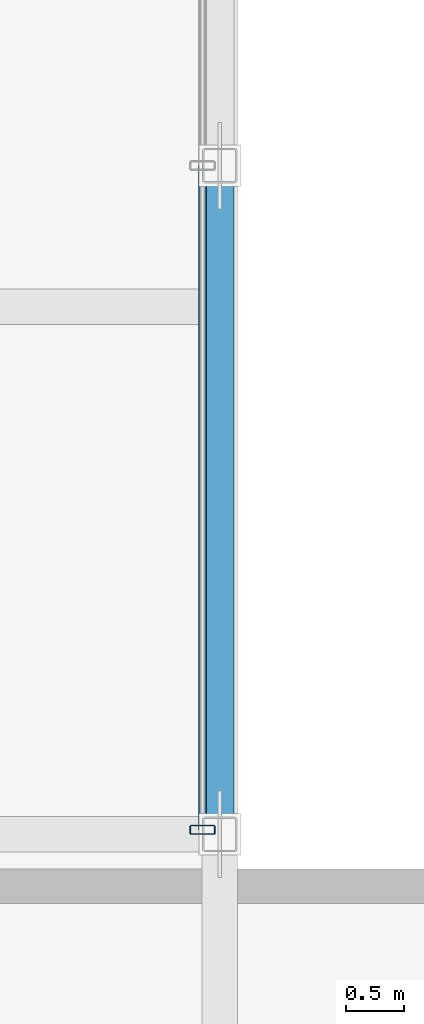
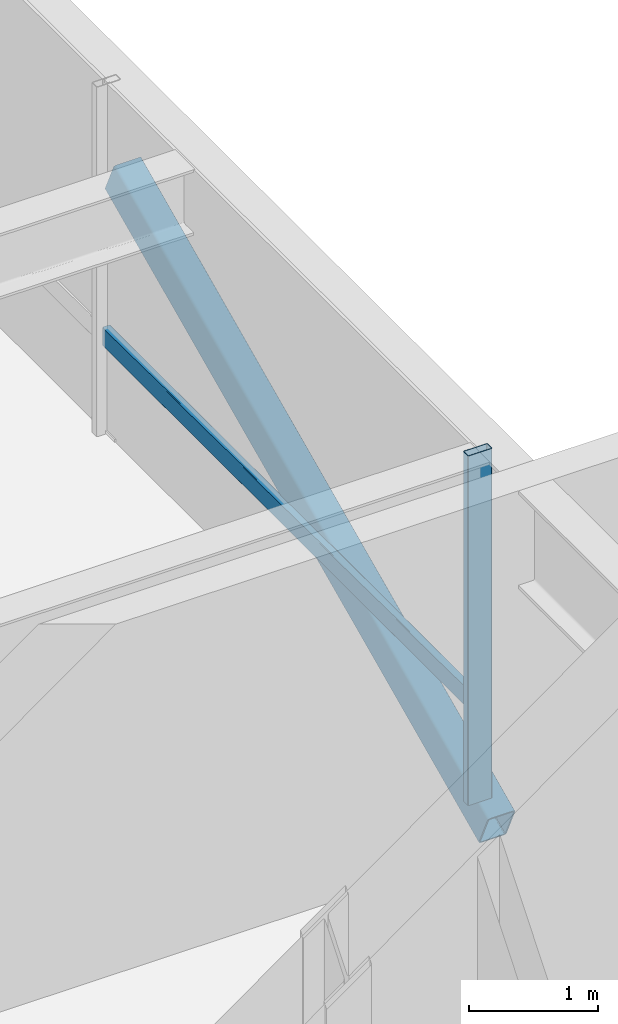
# One storey, part 8 of 36: 3 members, 1 element without a shape of its own.
"""IFC4 building model written with IfcOpenShell, lengths in metres."""

from ifc_helpers import new_model, si_unit, direction, frame, origin, origin_2d, place, context, subcontext, project, spatial, hollow_rectangle, extrude, material, layer, layer_set, material_profile, profile_set, type_object, element, aggregate, save


model = new_model("IFC4")

# Units and contexts
model_context = context("Model", 3, precision=1e-05, world=origin(), true_north=direction((0.0, 1.0)))
body_context = subcontext(model_context, "Body", "Model", "MODEL_VIEW")
ifc_project = project(units=[si_unit("LENGTHUNIT", "METRE"), si_unit("AREAUNIT", "SQUARE_METRE"), si_unit("VOLUMEUNIT", "CUBIC_METRE"), si_unit("PLANEANGLEUNIT", "RADIAN"), si_unit("MASSUNIT", "GRAM", prefix="KILO")], contexts=[model_context])

# Site, building, storey
site_placement = place(None, origin())
site = spatial("IfcSite", under=ifc_project, at=site_placement, CompositionType="ELEMENT")
building_placement = place(site_placement, origin())
building = spatial("IfcBuilding", under=site, at=building_placement, Name="Korimba Cascade Residences", CompositionType="ELEMENT")
storey_placement = place(building_placement, frame((0.0, 0.0, 142.89990234375)))
storey = spatial("IfcBuildingStorey", under=building, at=storey_placement, Name="L41", CompositionType="ELEMENT", Elevation=142.89990234375)

# Curtain wall, members
ifc_material_1 = material(Name="Anodised Aluminium Curtain Wall Framing", Category="aluminium")
ifc_layer = layer(ifc_material_1, 0.179931640625)
ifc_layer_set = layer_set([ifc_layer], Name="Anodised Aluminium Curtain Wall Framing")
curtain_wall_type = type_object("IfcCurtainWallType", Name="CW-BRG-SYS3", PredefinedType="NOTDEFINED", material=ifc_layer_set)
curtain_wall_placement = place(storey_placement, origin())
curtain_wall = element("IfcCurtainWall", 1, at=curtain_wall_placement, inside=storey, type_object=curtain_wall_type, Name="L41 Curtain Wall CW-L41-BRG-E", PredefinedType="NOTDEFINED")
ifc_material_2 = material(Name="Anodised Aluminium Mullion", Category="aluminium")
ifc_material_profile_1 = material_profile(ifc_material_2, hollow_rectangle(XDim=0.080078125, YDim=0.219970703125, WallThickness=0.00634765625, InnerFilletRadius=0.00634765625, OuterFilletRadius=0.0126953125, at=origin_2d()), Name="Anodised Aluminium Mullion")
ifc_profile_set_1 = profile_set([ifc_material_profile_1], Name="Anodised Aluminium Mullion")
member_type_1 = type_object("IfcMemberType", Name="CWM-MUL-220", PredefinedType="MULLION", material=ifc_profile_set_1)
member_1_placement = place(storey_placement, frame((111.949951171875, 33.139892578125, 0.0), z_axis=(0.0, 0.0, 1.0), x_axis=(0.0, 1.0, 0.0)))
member_1 = element("IfcMember", 2, at=member_1_placement, type_object=member_type_1, Name="CW-L41-BRG-E Mullion 1", PredefinedType="MULLION", context=body_context, shape_type="SweptSolid", body=[
    extrude(hollow_rectangle(XDim=0.080078125, YDim=0.219970703125, WallThickness=0.00634765625, InnerFilletRadius=0.00634765625, OuterFilletRadius=0.0126953125, at=origin_2d()), origin(), (0.0, 0.0, 1.0), 3.31005859375),
])
ifc_material_3 = material(Name="Anodised Aluminium Transom", Category="aluminium")
ifc_material_profile_2 = material_profile(ifc_material_3, hollow_rectangle(XDim=0.070068359375, YDim=0.179931640625, WallThickness=0.0048828125, InnerFilletRadius=0.0048828125, OuterFilletRadius=0.010009765625, at=origin_2d()), Name="Anodised Aluminium Transom")
ifc_profile_set_2 = profile_set([ifc_material_profile_2], Name="Anodised Aluminium Transom")
member_type_2 = type_object("IfcMemberType", Name="CWM-TRN-150", PredefinedType="USERDEFINED", material=ifc_profile_set_2)
member_2_placement = place(storey_placement, frame((111.949951171875, 33.139892578125, 0.900146484375), z_axis=(0.0, 1.0, 0.0), x_axis=(-1.0, 0.0, 0.0)))
member_2 = element("IfcMember", 3, at=member_2_placement, type_object=member_type_2, Name="CW-L41-BRG-E Transom 1", ObjectType="TRANSOM", PredefinedType="USERDEFINED", context=body_context, shape_type="SweptSolid", body=[
    extrude(hollow_rectangle(XDim=0.070068359375, YDim=0.179931640625, WallThickness=0.0048828125, InnerFilletRadius=0.0048828125, OuterFilletRadius=0.010009765625, at=origin_2d()), origin(), (0.0, 0.0, 1.0), 5.760009765625),
])
aggregate(curtain_wall, [member_1, member_2])

# Member
ifc_material_4 = material(Name="Steel S460", Category="steel")
ifc_material_profile_3 = material_profile(ifc_material_4, hollow_rectangle(XDim=0.25, YDim=0.35009765625, WallThickness=0.012451171875, InnerFilletRadius=0.012451171875, OuterFilletRadius=0.02490234375, at=origin_2d()), Name="Steel S460")
ifc_profile_set_3 = profile_set([ifc_material_profile_3], Name="Steel S460")
member_type_3 = type_object("IfcMemberType", Name="MEM-BRG-SHS350", PredefinedType="BRACE", material=ifc_profile_set_3)
member_3_placement = place(storey_placement, frame((112.10009765625, 33.10009765625, -0.289794921875), z_axis=(0.0, 0.90816738731, 0.418607210433), x_axis=(-1.0, 0.0, 0.0)))
element("IfcMember", 4, at=member_3_placement, inside=storey, type_object=member_type_3, Name="L41 Mid-Bridge Warren Diagonal E1", PredefinedType="BRACE", context=body_context, shape_type="SweptSolid", body=[
    extrude(hollow_rectangle(XDim=0.25, YDim=0.35009765625, WallThickness=0.012451171875, InnerFilletRadius=0.012451171875, OuterFilletRadius=0.02490234375, at=origin_2d()), origin(), (0.0, 0.0, 1.0), 6.38623046875),
])

save(model, "model.ifc")
